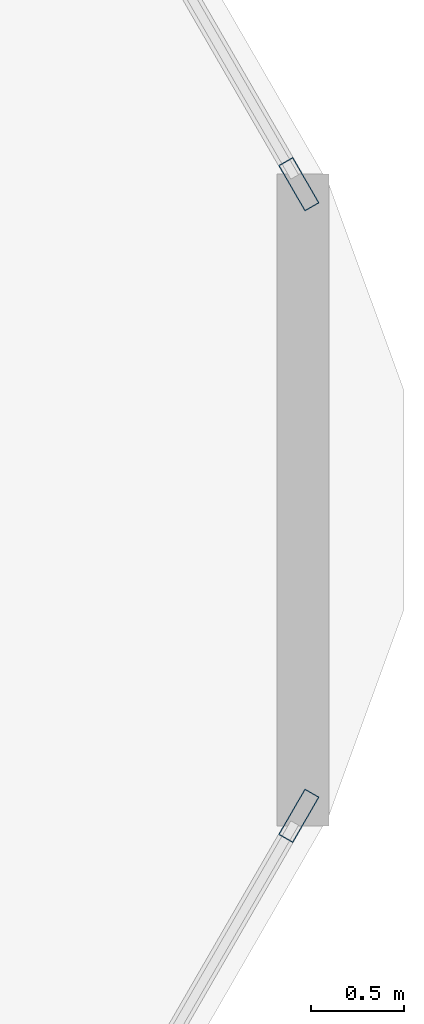
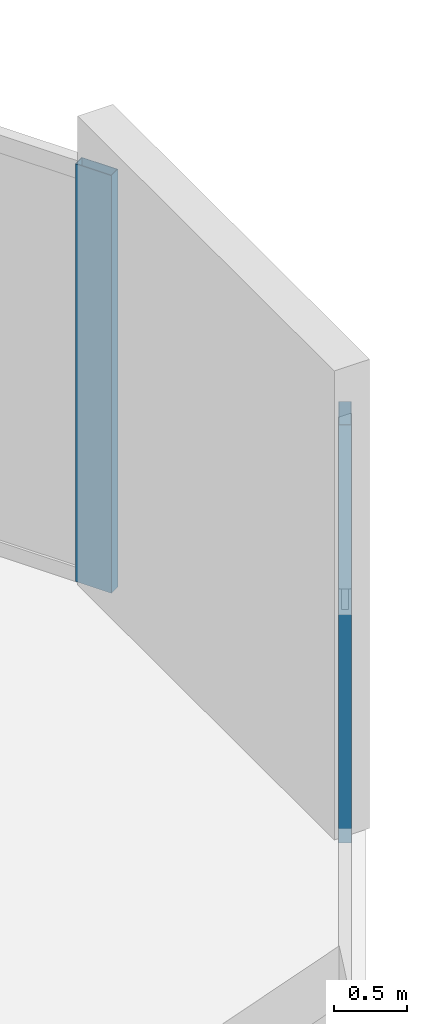
# One storey, part 20 of 26: 2 members, 2 elements without a shape of their own.
"""IFC4 building model written with IfcOpenShell, lengths in metres."""

from ifc_helpers import new_model, si_unit, direction, frame, origin, origin_2d, place, context, subcontext, project, spatial, hollow_rectangle, extrude, material, material_profile, profile_set, type_object, element, aggregate, save


model = new_model("IFC4")

# Units and contexts
model_context = context("Model", 3, precision=1e-05, world=origin(), true_north=direction((0.0, 1.0)))
body_context = subcontext(model_context, "Body", "Model", "MODEL_VIEW")
ifc_project = project(units=[si_unit("LENGTHUNIT", "METRE"), si_unit("AREAUNIT", "SQUARE_METRE"), si_unit("VOLUMEUNIT", "CUBIC_METRE"), si_unit("PLANEANGLEUNIT", "RADIAN"), si_unit("MASSUNIT", "GRAM", prefix="KILO")], contexts=[model_context])

# Site, building, storey
site_placement = place(None, origin())
site = spatial("IfcSite", under=ifc_project, at=site_placement, CompositionType="ELEMENT")
building_placement = place(site_placement, origin())
building = spatial("IfcBuilding", under=site, at=building_placement, Name="Zuhravey Tower", CompositionType="ELEMENT")
storey_placement = place(building_placement, frame((0.0, 0.0, 28.800048828125)))
storey = spatial("IfcBuildingStorey", under=building, at=storey_placement, Name="L07", CompositionType="ELEMENT", Elevation=28.800048828125)

# Curtain wall, member
ifc_material_1 = material(Name="Thermally broken anodised aluminium", Category="aluminium")
curtain_wall_type = type_object("IfcCurtainWallType", Name="School Low-E Unitised Curtain Wall CW1", PredefinedType="NOTDEFINED", material=ifc_material_1)
curtain_wall_1_placement = place(storey_placement, origin())
curtain_wall_1 = element("IfcCurtainWall", 1, at=curtain_wall_1_placement, inside=storey, type_object=curtain_wall_type, Name="L07 CW1 CW-L07-F6-1", PredefinedType="NOTDEFINED")
ifc_material_2 = material(Name="Anodised aluminium", Category="aluminium")
ifc_material_profile = material_profile(ifc_material_2, hollow_rectangle(XDim=0.090087890625, YDim=0.284912109375, WallThickness=0.0048828125, at=origin_2d()), Name="ALU-RHS-90x285x5")
ifc_profile_set = profile_set([ifc_material_profile], Name="Anodised aluminium")
member_type = type_object("IfcMemberType", Name="Curtain-Wall Mullion 90x180", PredefinedType="MULLION", material=ifc_profile_set)
member_1_placement = place(storey_placement, frame((68.4560546875, 30.298583984375, 0.0), z_axis=(0.0, 0.0, 1.0), x_axis=(0.86602552265, -0.499999794119, 0.0)))
member_1 = element("IfcMember", 2, at=member_1_placement, type_object=member_type, Name="CW1 mullion 1", PredefinedType="MULLION", context=body_context, shape_type="SweptSolid", body=[
    extrude(hollow_rectangle(XDim=0.090087890625, YDim=0.284912109375, WallThickness=0.0048828125, at=origin_2d()), origin(), (0.0, 0.0, 1.0), 3.491943359375),
])
aggregate(curtain_wall_1, [member_1])

curtain_wall_2_placement = place(storey_placement, origin())
curtain_wall_2 = element("IfcCurtainWall", 3, at=curtain_wall_2_placement, inside=storey, type_object=curtain_wall_type, Name="L07 CW1 CW-L07-F1-1", PredefinedType="NOTDEFINED")
member_2_placement = place(storey_placement, frame((68.4560546875, 33.701416015625, 0.0), z_axis=(0.0, 0.0, 1.0), x_axis=(0.86602552265, 0.499999794119, 0.0)))
member_2 = element("IfcMember", 4, at=member_2_placement, type_object=member_type, Name="CW1 mullion 4", PredefinedType="MULLION", context=body_context, shape_type="SweptSolid", body=[
    extrude(hollow_rectangle(XDim=0.090087890625, YDim=0.284912109375, WallThickness=0.0048828125, at=origin_2d()), origin(), (0.0, 0.0, 1.0), 3.491943359375),
])
aggregate(curtain_wall_2, [member_2])

save(model, "model.ifc")
